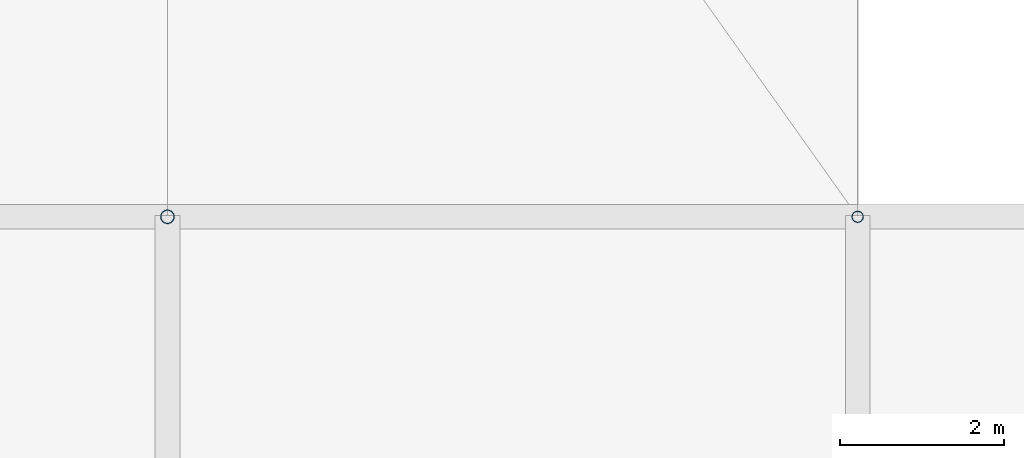
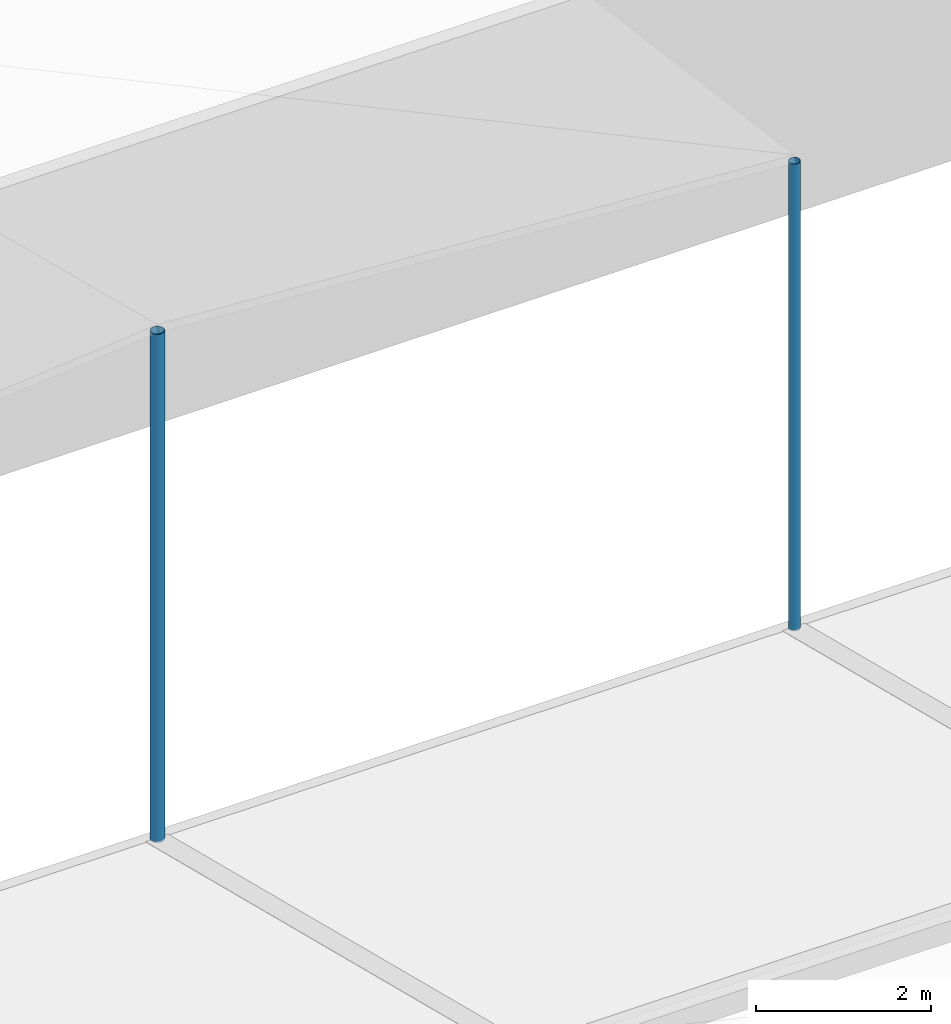
# One storey, part 65 of 111: 2 discrete accessories.
"""IFC4 building model written with IfcOpenShell, lengths in metres."""

from ifc_helpers import new_model, si_unit, direction, frame, origin, origin_2d, place, context, subcontext, project, spatial, hollow_circle, extrude, material, material_profile, profile_set, type_object, element, save


model = new_model("IFC4")

# Units and contexts
model_context = context("Model", 3, precision=1e-05, world=origin(), true_north=direction((0.0, 1.0)))
body_context = subcontext(model_context, "Body", "Model", "MODEL_VIEW")
ifc_project = project(units=[si_unit("LENGTHUNIT", "METRE"), si_unit("AREAUNIT", "SQUARE_METRE"), si_unit("VOLUMEUNIT", "CUBIC_METRE"), si_unit("PLANEANGLEUNIT", "RADIAN"), si_unit("MASSUNIT", "GRAM", prefix="KILO")], contexts=[model_context])

# Site, building, storey
site_placement = place(None, origin())
site = spatial("IfcSite", under=ifc_project, at=site_placement, CompositionType="ELEMENT")
building_placement = place(site_placement, origin())
building = spatial("IfcBuilding", under=site, at=building_placement, Name="Rain Tree Exposition and Congress Centre", CompositionType="ELEMENT")
storey_placement = place(building_placement, frame((0.0, 0.0, 19.5)))
storey = spatial("IfcBuildingStorey", under=building, at=storey_placement, Name="RF", CompositionType="ELEMENT", Elevation=19.5)

# Discrete accessories
ifc_material_1 = material(Name="Steel S355J2H", Category="steel")
ifc_material_profile_1 = material_profile(ifc_material_1, hollow_circle(Radius=0.06982421875, WallThickness=0.0048828125, at=origin_2d()), Name="CHS 140x5")
ifc_profile_set_1 = profile_set([ifc_material_profile_1], Name="Steel S355J2H")
discrete_accessory_type_1 = type_object("IfcDiscreteAccessoryType", Name="Roof skin post CHS 140x5", PredefinedType="BRACKET", material=ifc_profile_set_1)
discrete_accessory_1_placement = place(storey_placement, frame((50.39990234375, 193.199951171875, 1.11669921875), z_axis=(0.0, 0.0, 1.0), x_axis=(1.0, 0.0, 0.0)))
element("IfcDiscreteAccessory", 1, at=discrete_accessory_1_placement, inside=storey, type_object=discrete_accessory_type_1, Name="Roof skin post A171", PredefinedType="BRACKET", context=body_context, shape_type="SweptSolid", body=[
    extrude(hollow_circle(Radius=0.06982421875, WallThickness=0.0048828125, at=origin_2d()), origin(), (0.0, 0.0, 1.0), 6.511962890625),
])
ifc_material_2 = material(Name="Steel S355J2H", Category="steel")
ifc_material_profile_2 = material_profile(ifc_material_2, hollow_circle(Radius=0.084228515625, WallThickness=0.006103515625, at=origin_2d()), Name="CHS 168x6")
ifc_profile_set_2 = profile_set([ifc_material_profile_2], Name="Steel S355J2H")
discrete_accessory_type_2 = type_object("IfcDiscreteAccessoryType", Name="Roof skin post CHS 168x6", PredefinedType="BRACKET", material=ifc_profile_set_2)
discrete_accessory_2_placement = place(storey_placement, frame((42.0, 193.199951171875, 1.11669921875), z_axis=(0.0, 0.0, 1.0), x_axis=(1.0, 0.0, 0.0)))
element("IfcDiscreteAccessory", 2, at=discrete_accessory_2_placement, inside=storey, type_object=discrete_accessory_type_2, Name="Roof skin post A170", PredefinedType="BRACKET", context=body_context, shape_type="SweptSolid", body=[
    extrude(hollow_circle(Radius=0.084228515625, WallThickness=0.006103515625, at=origin_2d()), origin(), (0.0, 0.0, 1.0), 7.087646484375),
])

save(model, "model.ifc")
